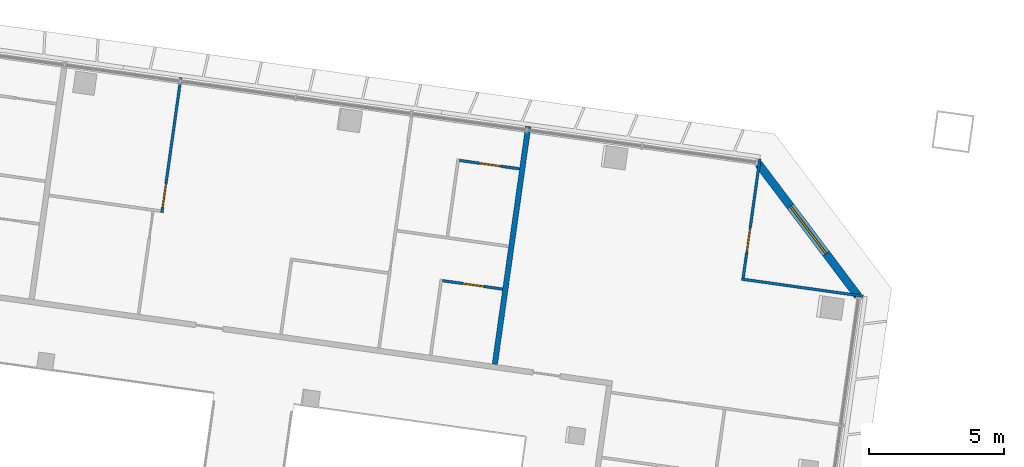
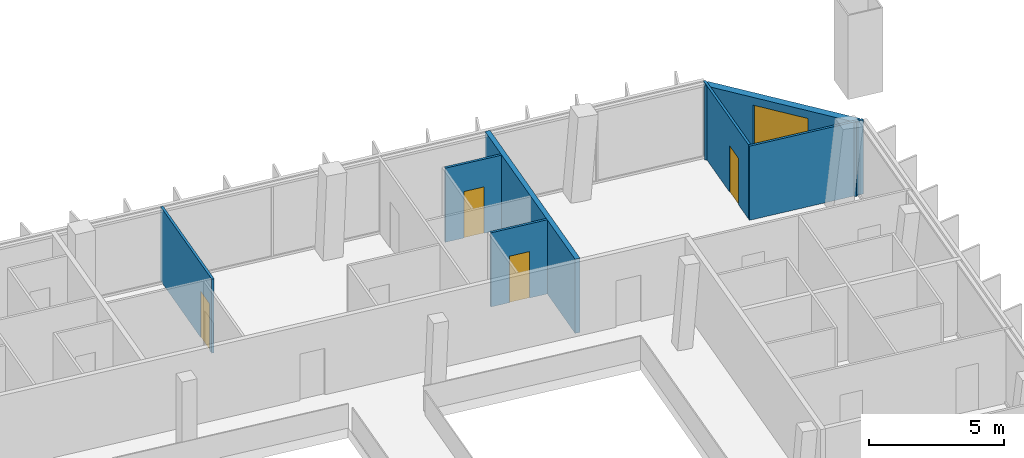
# One storey, part 16 of 23: 7 walls, 4 doors, 1 window, 5 openings.
"""IFC4 building model written with IfcOpenShell, lengths in metres."""

from ifc_helpers import new_model, si_unit, direction, frame, frame_2d, origin, place, context, subcontext, project, spatial, rectangle, extrude, material, layer, layer_set, type_object, element, fill, save


model = new_model("IFC4")

# Units and contexts
model_context = context("Model", 3, precision=1e-05, world=origin(), true_north=direction((0.0, 1.0)))
body_context = subcontext(model_context, "Body", "Model", "MODEL_VIEW")
ifc_project = project(units=[si_unit("LENGTHUNIT", "METRE"), si_unit("AREAUNIT", "SQUARE_METRE"), si_unit("VOLUMEUNIT", "CUBIC_METRE"), si_unit("PLANEANGLEUNIT", "RADIAN"), si_unit("MASSUNIT", "GRAM", prefix="KILO")], contexts=[model_context])

# Site, building, storey
site_placement = place(None, origin())
site = spatial("IfcSite", under=ifc_project, at=site_placement, CompositionType="ELEMENT")
building_placement = place(site_placement, origin())
building = spatial("IfcBuilding", under=site, at=building_placement, Name="Mirante Cascada Hotel Towers", CompositionType="ELEMENT")
storey_placement = place(building_placement, frame((0.0, 0.0, 199.2)))
storey = spatial("IfcBuildingStorey", under=building, at=storey_placement, Name="L47", CompositionType="ELEMENT", Elevation=199.2)

# Wall
ifc_material_1 = material(Name="Fire-rated plasterboard on metal studs")
ifc_layer_1 = layer(ifc_material_1, 0.2)
ifc_layer_set_1 = layer_set([ifc_layer_1], Name="Compartment wall 200 EI 120")
wall_type_1 = type_object("IfcWallType", Name="Compartment wall 200 EI 120", PredefinedType="PARTITIONING", material=ifc_layer_set_1)
wall_1_placement = place(storey_placement, frame((-37.7611, 18.2775, 0.0), z_axis=(0.0, 0.0, 1.0), x_axis=(-0.1391684, -0.9902687, 0.0)))
element("IfcWall", 1, at=wall_1_placement, inside=storey, type_object=wall_type_1, Name="Wall 1-L47-39", PredefinedType="PARTITIONING", context=body_context, shape_type="SweptSolid", body=[
    extrude(rectangle(XDim=8.9, YDim=0.2, at=frame_2d((4.45, 0.0))), origin(), (0.0, 0.0, 1.0), 3.35),
])

# Wall, opening, door
ifc_material_2 = material(Name="Plasterboard on metal studs")
ifc_layer_2 = layer(ifc_material_2, 0.1)
ifc_layer_set_2 = layer_set([ifc_layer_2], Name="Partition 100")
wall_type_2 = type_object("IfcWallType", Name="Partition 100", PredefinedType="PARTITIONING", material=ifc_layer_set_2)
wall_2_placement = place(storey_placement, frame((-40.9371, 12.5639, 0.0), z_axis=(0.0, 0.0, 1.0), x_axis=(0.9902705, -0.1391561, 0.0)))
wall_2 = element("IfcWall", 2, at=wall_2_placement, inside=storey, type_object=wall_type_2, Name="Wall 1-L47-19", PredefinedType="PARTITIONING", context=body_context, shape_type="SweptSolid", body=[
    extrude(rectangle(XDim=2.25, YDim=0.1, at=frame_2d((1.125, 0.0))), origin(), (0.0, 0.0, 1.0), 3.35),
])
opening_1_placement = place(wall_2_placement, frame((0.75, 0.0, 0.0)))
opening_1 = element("IfcOpeningElement", 3, at=opening_1_placement, cuts=wall_2, Name="Opening D1-L47-09", PredefinedType="OPENING", context=body_context, shape_type="SweptSolid", body=[
    extrude(rectangle(XDim=0.8, YDim=2.1, at=frame_2d((0.4, 1.05))), frame((0.0, 0.05, 0.0), z_axis=(0.0, -1.0, 0.0), x_axis=(1.0, 0.0, 0.0)), (0.0, 0.0, 1.0), 0.1),
])
ifc_material_3 = material(Name="Timber door leaf", Category="wood")
door_type_1 = type_object("IfcDoorType", Name="Bathroom door DG4 800x2100", OperationType="SINGLE_SWING_LEFT", PredefinedType="DOOR", material=ifc_material_3)
door_1_placement = place(opening_1_placement, frame((0.8, 0.0, 0.0), z_axis=(0.0, 0.0, 1.0), x_axis=(-1.0, 0.0, 0.0)))
door_1 = element("IfcDoor", 4, at=door_1_placement, inside=storey, type_object=door_type_1, Name="Door D1-L47-09", OperationType="SINGLE_SWING_RIGHT", OverallHeight=2.1, OverallWidth=0.8, PredefinedType="DOOR", context=body_context, shape_type="SweptSolid", body=[
    extrude(rectangle(XDim=0.8, YDim=2.1, at=frame_2d((0.4, 1.05))), frame((0.0, 0.025, 0.0), z_axis=(0.0, -1.0, 0.0), x_axis=(1.0, 0.0, 0.0)), (0.0, 0.0, 1.0), 0.05),
])
fill(opening_1, door_1)

# Wall
wall_3_placement = place(storey_placement, frame((-29.8562, 12.6223, 0.0), z_axis=(0.0, 0.0, 1.0), x_axis=(0.9902661, -0.1391871, 0.0)))
element("IfcWall", 5, at=wall_3_placement, inside=storey, type_object=wall_type_2, Name="Wall 1-L47-25", PredefinedType="PARTITIONING", context=body_context, shape_type="SweptSolid", body=[
    extrude(rectangle(XDim=4.55, YDim=0.1, at=frame_2d((2.275, 0.0))), origin(), (0.0, 0.0, 1.0), 3.35),
])

# Wall, opening, door
wall_4_placement = place(storey_placement, frame((-38.0828, 16.707, 0.0), z_axis=(0.0, 0.0, 1.0), x_axis=(-0.9902705, 0.1391561, 0.0)))
wall_4 = element("IfcWall", 6, at=wall_4_placement, inside=storey, type_object=wall_type_2, Name="Wall 1-L47-28", PredefinedType="PARTITIONING", context=body_context, shape_type="SweptSolid", body=[
    extrude(rectangle(XDim=2.25, YDim=0.1, at=frame_2d((1.125, 0.0))), origin(), (0.0, 0.0, 1.0), 3.35),
])
opening_2_placement = place(wall_4_placement, frame((0.7, 0.0, 0.0)))
opening_2 = element("IfcOpeningElement", 7, at=opening_2_placement, cuts=wall_4, Name="Opening D1-L47-14", PredefinedType="OPENING", context=body_context, shape_type="SweptSolid", body=[
    extrude(rectangle(XDim=0.8, YDim=2.1, at=frame_2d((0.4, 1.05))), frame((0.0, 0.05, 0.0), z_axis=(0.0, -1.0, 0.0), x_axis=(1.0, 0.0, 0.0)), (0.0, 0.0, 1.0), 0.1),
])
door_2_placement = place(opening_2_placement, origin())
door_2 = element("IfcDoor", 8, at=door_2_placement, inside=storey, type_object=door_type_1, Name="Door D1-L47-14", OperationType="SINGLE_SWING_LEFT", OverallHeight=2.1, OverallWidth=0.8, PredefinedType="DOOR", context=body_context, shape_type="SweptSolid", body=[
    extrude(rectangle(XDim=0.8, YDim=2.1, at=frame_2d((0.4, 1.05))), frame((0.0, 0.025, 0.0), z_axis=(0.0, -1.0, 0.0), x_axis=(1.0, 0.0, 0.0)), (0.0, 0.0, 1.0), 0.05),
])
fill(opening_2, door_2)

wall_5_placement = place(storey_placement, frame((-29.1804, 17.0715, 0.0), z_axis=(0.0, 0.0, 1.0), x_axis=(-0.1391684, -0.9902687, 0.0)))
wall_5 = element("IfcWall", 9, at=wall_5_placement, inside=storey, type_object=wall_type_2, Name="Wall 1-L47-35", PredefinedType="PARTITIONING", context=body_context, shape_type="SweptSolid", body=[
    extrude(rectangle(XDim=4.45, YDim=0.1, at=frame_2d((2.225, 0.0))), origin(), (0.0, 0.0, 1.0), 3.35),
])
opening_3_placement = place(wall_5_placement, frame((2.5833, 0.0, 0.0)))
opening_3 = element("IfcOpeningElement", 10, at=opening_3_placement, cuts=wall_5, Name="Opening D1-L47-21", PredefinedType="OPENING", context=body_context, shape_type="SweptSolid", body=[
    extrude(rectangle(XDim=0.9, YDim=2.1, at=frame_2d((0.45, 1.05))), frame((0.0, 0.05, 0.0), z_axis=(0.0, -1.0, 0.0), x_axis=(1.0, 0.0, 0.0)), (0.0, 0.0, 1.0), 0.1),
])
ifc_material_4 = material(Name="Timber door leaf", Category="wood")
door_type_2 = type_object("IfcDoorType", Name="Room door DG3 900x2100", OperationType="SINGLE_SWING_LEFT", PredefinedType="DOOR", material=ifc_material_4)
door_3_placement = place(opening_3_placement, frame((0.9, 0.0, 0.0), z_axis=(0.0, 0.0, 1.0), x_axis=(-1.0, 0.0, 0.0)))
door_3 = element("IfcDoor", 11, at=door_3_placement, inside=storey, type_object=door_type_2, Name="Door D1-L47-21", OperationType="SINGLE_SWING_RIGHT", OverallHeight=2.1, OverallWidth=0.9, PredefinedType="DOOR", context=body_context, shape_type="SweptSolid", body=[
    extrude(rectangle(XDim=0.9, YDim=2.1, at=frame_2d((0.45, 1.05))), frame((0.0, 0.025, 0.0), z_axis=(0.0, -1.0, 0.0), x_axis=(1.0, 0.0, 0.0)), (0.0, 0.0, 1.0), 0.05),
])
fill(opening_3, door_3)

wall_6_placement = place(storey_placement, frame((-51.3349, 15.0855, 0.0), z_axis=(0.0, 0.0, 1.0), x_axis=(0.1391671, 0.9902689, 0.0)))
wall_6 = element("IfcWall", 12, at=wall_6_placement, inside=storey, type_object=wall_type_2, Name="Wall 1-L47-44", PredefinedType="PARTITIONING", context=body_context, shape_type="SweptSolid", body=[
    extrude(rectangle(XDim=5.05, YDim=0.1, at=frame_2d((2.525, 0.0))), origin(), (0.0, 0.0, 1.0), 3.35),
])
opening_4_placement = place(wall_6_placement, frame((0.2, 0.0, 0.0)))
opening_4 = element("IfcOpeningElement", 13, at=opening_4_placement, cuts=wall_6, Name="Opening D1-L47-27", PredefinedType="OPENING", context=body_context, shape_type="SweptSolid", body=[
    extrude(rectangle(XDim=0.9, YDim=2.1, at=frame_2d((0.45, 1.05))), frame((0.0, 0.05, 0.0), z_axis=(0.0, -1.0, 0.0), x_axis=(1.0, 0.0, 0.0)), (0.0, 0.0, 1.0), 0.1),
])
door_4_placement = place(opening_4_placement, frame((0.9, 0.0, 0.0), z_axis=(0.0, 0.0, 1.0), x_axis=(-1.0, 0.0, 0.0)))
door_4 = element("IfcDoor", 14, at=door_4_placement, inside=storey, type_object=door_type_2, Name="Door D1-L47-27", OperationType="SINGLE_SWING_RIGHT", OverallHeight=2.1, OverallWidth=0.9, PredefinedType="DOOR", context=body_context, shape_type="SweptSolid", body=[
    extrude(rectangle(XDim=0.9, YDim=2.1, at=frame_2d((0.45, 1.05))), frame((0.0, 0.025, 0.0), z_axis=(0.0, -1.0, 0.0), x_axis=(1.0, 0.0, 0.0)), (0.0, 0.0, 1.0), 0.05),
])
fill(opening_4, door_4)

# Wall, opening, window
ifc_material_5 = material(Name="Precast concrete C40/50", Category="concrete")
ifc_layer_3 = layer(ifc_material_5, 0.3)
ifc_layer_set_3 = layer_set([ifc_layer_3], Name="Precast concrete C40/50 cladding wall 300")
wall_type_3 = type_object("IfcWallType", Name="Precast concrete C40/50 cladding wall 300", PredefinedType="STANDARD", material=ifc_layer_set_3)
wall_7_placement = place(storey_placement, frame((-29.2255, 16.8821, 0.0), z_axis=(0.0, 0.0, 1.0), x_axis=(0.6018141, -0.7986362, 0.0)))
wall_7 = element("IfcWall", 15, at=wall_7_placement, inside=storey, type_object=wall_type_3, Name="Corner cladding wall T1 L47 front inner", PredefinedType="STANDARD", context=body_context, shape_type="SweptSolid", body=[
    extrude(rectangle(XDim=6.1157, YDim=0.3, at=frame_2d((3.0578, 0.0))), origin(), (0.0, 0.0, 1.0), 3.35),
])
opening_5_placement = place(wall_7_placement, frame((1.9578, 0.0, 0.6)))
opening_5 = element("IfcOpeningElement", 16, at=opening_5_placement, cuts=wall_7, Name="Opening W1-47-03", PredefinedType="OPENING", context=body_context, shape_type="SweptSolid", body=[
    extrude(rectangle(XDim=2.2, YDim=2.4, at=frame_2d((1.1, 1.2))), frame((0.0, 0.15, 0.0), z_axis=(0.0, -1.0, 0.0), x_axis=(1.0, 0.0, 0.0)), (0.0, 0.0, 1.0), 0.3),
])
ifc_material_6 = material(Name="Aluminium frame with clear double glazing", Category="aluminium")
window_type = type_object("IfcWindowType", Name="Corner suite window 2200x2400", PartitioningType="DOUBLE_PANEL_VERTICAL", PredefinedType="WINDOW", material=ifc_material_6)
window_placement = place(opening_5_placement, origin())
window = element("IfcWindow", 17, at=window_placement, inside=storey, type_object=window_type, Name="Window W1-47-03", OverallHeight=2.4, OverallWidth=2.2, PartitioningType="SINGLE_PANEL", PredefinedType="WINDOW", context=body_context, shape_type="SweptSolid", body=[
    extrude(rectangle(XDim=2.2, YDim=2.4, at=frame_2d((1.1, 1.2))), frame((0.0, 0.03, 0.0), z_axis=(0.0, -1.0, 0.0), x_axis=(1.0, 0.0, 0.0)), (0.0, 0.0, 1.0), 0.06),
])
fill(opening_5, window)

save(model, "model.ifc")
